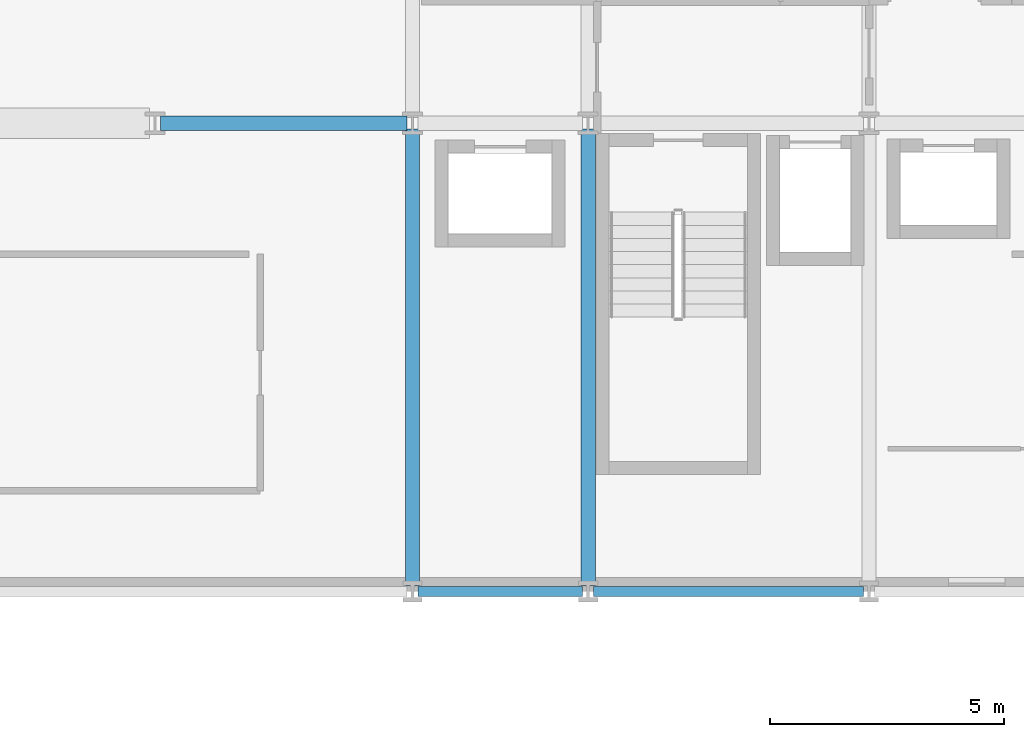
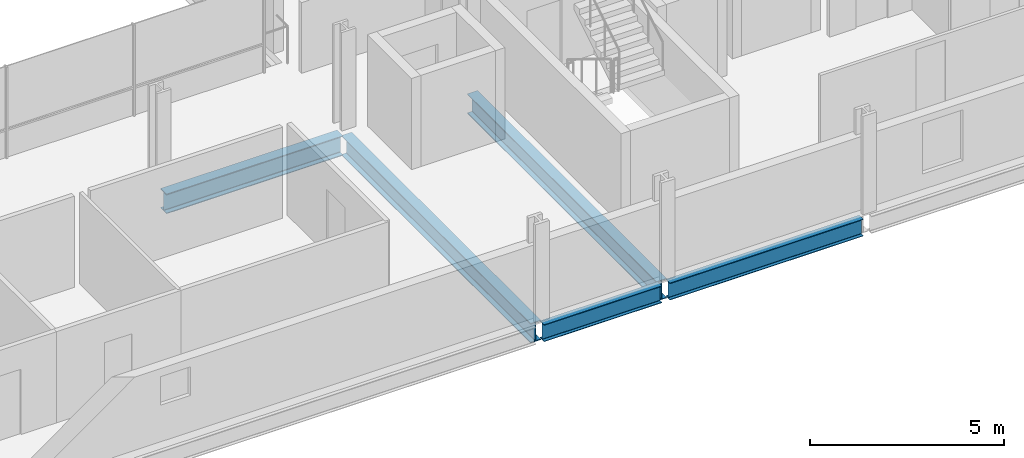
# One storey, part 12 of 41: 5 beams.
"""IFC4 building model written with IfcOpenShell, lengths in metres."""

from ifc_helpers import new_model, si_unit, direction, frame, origin, origin_2d, place, context, subcontext, project, spatial, i_section, extrude, material, material_profile, profile_set, type_object, element, save


model = new_model("IFC4")

# Units and contexts
model_context = context("Model", 3, precision=1e-05, world=origin(), true_north=direction((0.0, 1.0)))
body_context = subcontext(model_context, "Body", "Model", "MODEL_VIEW")
ifc_project = project(units=[si_unit("LENGTHUNIT", "METRE"), si_unit("AREAUNIT", "SQUARE_METRE"), si_unit("VOLUMEUNIT", "CUBIC_METRE"), si_unit("PLANEANGLEUNIT", "RADIAN"), si_unit("MASSUNIT", "GRAM", prefix="KILO")], contexts=[model_context])

# Site, building, storey
site_placement = place(None, origin())
site = spatial("IfcSite", under=ifc_project, at=site_placement, CompositionType="ELEMENT")
building_placement = place(site_placement, origin())
building = spatial("IfcBuilding", under=site, at=building_placement, Name="Brevholm Reach", CompositionType="ELEMENT")
storey_placement = place(building_placement, frame((0.0, 0.0, 55.89990234375)))
storey = spatial("IfcBuildingStorey", under=building, at=storey_placement, Name="L15", CompositionType="ELEMENT", Elevation=55.89990234375)

# Beams
ifc_material_1 = material(Name="Structural Steel S355J2", Category="steel")
ifc_material_profile_1 = material_profile(ifc_material_1, i_section(OverallWidth=0.210693359375, OverallDepth=0.53955078125, WebThickness=0.01171875, FlangeThickness=0.018798828125, FilletRadius=0.0126953125, at=origin_2d()), Name="UKB 533x210x109")
ifc_profile_set_1 = profile_set([ifc_material_profile_1], Name="Structural Steel S355J2")
beam_type_1 = type_object("IfcBeamType", Name="BM-SP539", PredefinedType="SPANDREL", material=ifc_profile_set_1)
beam_1_placement = place(storey_placement, frame((38.3701171875, 0.0, -0.499755859375), z_axis=(1.0, 0.0, 0.0), x_axis=(0.0, 1.0, 0.0)))
element("IfcBeam", 1, at=beam_1_placement, inside=storey, type_object=beam_type_1, Name="L15 SP-01B Framing Beam", PredefinedType="SPANDREL", context=body_context, shape_type="SweptSolid", body=[
    extrude(i_section(OverallWidth=0.210693359375, OverallDepth=0.53955078125, WebThickness=0.01171875, FlangeThickness=0.018798828125, FilletRadius=0.0126953125, at=origin_2d()), origin(), (0.0, 0.0, 1.0), 3.509765625),
])
beam_2_placement = place(storey_placement, frame((42.1201171875, 0.0, -0.499755859375), z_axis=(1.0, 0.0, 0.0), x_axis=(0.0, 1.0, 0.0)))
element("IfcBeam", 2, at=beam_2_placement, inside=storey, type_object=beam_type_1, Name="L15 SP-01B Framing Beam", PredefinedType="SPANDREL", context=body_context, shape_type="SweptSolid", body=[
    extrude(i_section(OverallWidth=0.210693359375, OverallDepth=0.53955078125, WebThickness=0.01171875, FlangeThickness=0.018798828125, FilletRadius=0.0126953125, at=origin_2d()), origin(), (0.0, 0.0, 1.0), 5.759765625),
])
ifc_material_2 = material(Name="Structural Steel S355J2", Category="steel")
ifc_material_profile_2 = material_profile(ifc_material_2, i_section(OverallWidth=0.30712890625, OverallDepth=0.6201171875, WebThickness=0.01416015625, FlangeThickness=0.023681640625, FilletRadius=0.0166015625, at=origin_2d()), Name="UKB 610x305x179")
ifc_profile_set_2 = profile_set([ifc_material_profile_2], Name="Structural Steel S355J2")
beam_type_2 = type_object("IfcBeamType", Name="BM-UKB610H", PredefinedType="USERDEFINED", material=ifc_profile_set_2)
beam_3_placement = place(storey_placement, frame((32.8701171875, 10.0, -0.5400390625), z_axis=(1.0, 0.0, 0.0), x_axis=(0.0, 1.0, 0.0)))
element("IfcBeam", 3, at=beam_3_placement, inside=storey, type_object=beam_type_2, Name="L15 G-06 Framing Beam", ObjectType="GIRDER", PredefinedType="USERDEFINED", context=body_context, shape_type="SweptSolid", body=[
    extrude(i_section(OverallWidth=0.30712890625, OverallDepth=0.6201171875, WebThickness=0.01416015625, FlangeThickness=0.023681640625, FilletRadius=0.0166015625, at=origin_2d()), origin(), (0.0, 0.0, 1.0), 5.259765625),
])
for number, where, z_axis, x_axis, name in (
    (4, (38.25, 0.1201171875, -0.5400390625), (0.0, 1.0, 0.0), (-1.0, 0.0, 0.0), "L15 G-06 Framing Beam"),
    (5, (42.0, 0.1201171875, -0.5400390625), (0.0, 1.0, 0.0), (-1.0, 0.0, 0.0), "L15 G-06 Framing Beam"),
):
    element("IfcBeam", number, at=place(storey_placement, frame(where, z_axis=z_axis, x_axis=x_axis)), inside=storey, type_object=beam_type_2, Name=name, ObjectType="GIRDER", PredefinedType="USERDEFINED", context=body_context, shape_type="SweptSolid", body=[
        extrude(i_section(OverallWidth=0.30712890625, OverallDepth=0.6201171875, WebThickness=0.01416015625, FlangeThickness=0.023681640625, FilletRadius=0.0166015625, at=origin_2d()), origin(), (0.0, 0.0, 1.0), 9.759765625),
    ])

save(model, "model.ifc")
